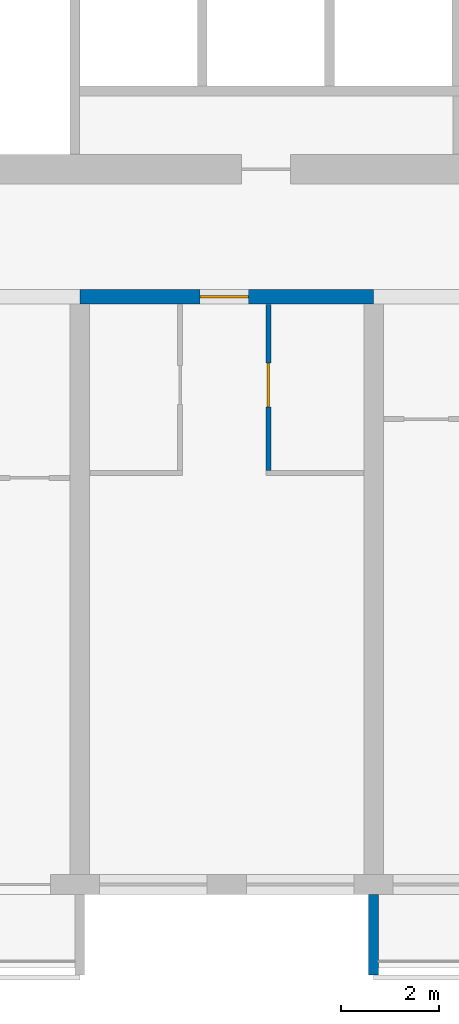
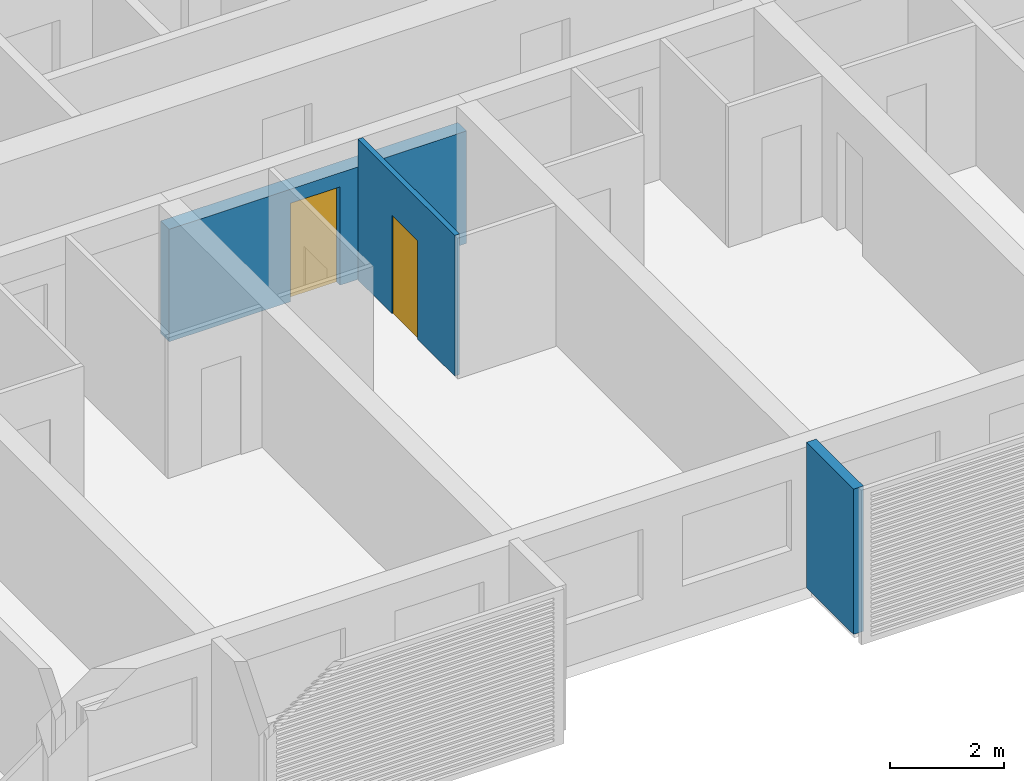
# One storey, part 4 of 38: 3 walls, 2 doors, 2 openings.
"""IFC4 building model written with IfcOpenShell, lengths in metres."""

from ifc_helpers import new_model, si_unit, direction, frame, frame_2d, origin, place, context, subcontext, project, spatial, polyline, rectangle, outline, extrude, source, transform, mapped, material, layer, layer_set, type_object, element, fill, save


model = new_model("IFC4")

# Units and contexts
model_context = context("Model", 3, precision=1e-05, world=origin(), true_north=direction((0.0, 1.0)))
body_context = subcontext(model_context, "Body", "Model", "MODEL_VIEW")
ifc_project = project(units=[si_unit("LENGTHUNIT", "METRE"), si_unit("AREAUNIT", "SQUARE_METRE"), si_unit("VOLUMEUNIT", "CUBIC_METRE"), si_unit("PLANEANGLEUNIT", "RADIAN"), si_unit("MASSUNIT", "GRAM", prefix="KILO")], contexts=[model_context])

# Site, building, storey
site_placement = place(None, origin())
site = spatial("IfcSite", under=ifc_project, at=site_placement, CompositionType="ELEMENT")
building_placement = place(site_placement, origin())
building = spatial("IfcBuilding", under=site, at=building_placement, Name="Poui Terraces", CompositionType="ELEMENT")
storey_placement = place(building_placement, frame((0.0, 0.0, 49.800048828125)))
storey = spatial("IfcBuildingStorey", under=building, at=storey_placement, Name="L13", CompositionType="ELEMENT", Elevation=49.800048828125)

# Wall, opening, door
ifc_material_1 = material(Name="Concrete 80 MPa", Category="concrete")
ifc_layer_1 = layer(ifc_material_1, 0.300048828125)
ifc_layer_set_1 = layer_set([ifc_layer_1], Name="Concrete 80 MPa")
wall_type_1 = type_object("IfcWallType", Name="CORRIDOR WALL 300 80MPa", PredefinedType="SHEAR", material=ifc_layer_set_1)
wall_1_placement = place(storey_placement, frame((42.0, 12.0, 0.0), z_axis=(0.0, 0.0, 1.0), x_axis=(1.0, 0.0, 0.0)))
wall_1 = element("IfcWall", 1, at=wall_1_placement, inside=storey, type_object=wall_type_1, Name="CORRIDOR WALL LINE B BAY 8", PredefinedType="SHEAR", context=body_context, shape_type="SweptSolid", body=[
    extrude(rectangle(XDim=6.0, YDim=0.300048828125, at=frame_2d((3.0, 0.0))), origin(), (0.0, 0.0, 1.0), 2.39990234375),
])
opening_1_placement = place(wall_1_placement, frame((2.449951171875, 0.0, 0.0)))
opening_1 = element("IfcOpeningElement", 2, at=opening_1_placement, cuts=wall_1, Name="Opening FD30S", PredefinedType="OPENING", context=body_context, shape_type="SweptSolid", body=[
    extrude(rectangle(XDim=1.0, YDim=2.10009765625, at=frame_2d((0.5, 1.050048828125))), frame((0.0, 0.16015625, 0.0), z_axis=(0.0, -1.0, 0.0), x_axis=(1.0, 0.0, 0.0)), (0.0, 0.0, 1.0), 0.320068359375),
])
ifc_material_2 = material(Name="Steel fire door", Category="steel")
door_type_1 = type_object("IfcDoorType", Name="FLAT ENTRANCE DOOR 1000 X 2100", OperationType="NOTDEFINED", PredefinedType="DOOR", material=ifc_material_2)
door_1_placement = place(opening_1_placement, frame((1.0, 0.0, 0.0), z_axis=(0.0, 0.0, 1.0), x_axis=(-1.0, 0.0, 0.0)))
door_1 = element("IfcDoor", 3, at=door_1_placement, inside=storey, type_object=door_type_1, Name="FLAT ENTRANCE DOOR 115", OperationType="SINGLE_SWING_RIGHT", OverallHeight=2.10009765625, OverallWidth=1.0, PredefinedType="DOOR", context=body_context, shape_type="SweptSolid", body=[
    extrude(rectangle(XDim=1.0, YDim=2.10009765625, at=frame_2d((0.5, 1.050048828125))), frame((0.0, 0.02490234375, 0.0), z_axis=(0.0, -1.0, 0.0), x_axis=(1.0, 0.0, 0.0)), (0.0, 0.0, 1.0), 0.050048828125),
])
fill(opening_1, door_1)

ifc_material_3 = material(Name="Plasterboard partition")
ifc_layer_2 = layer(ifc_material_3, 0.10009765625)
ifc_layer_set_2 = layer_set([ifc_layer_2], Name="Plasterboard partition")
wall_type_2 = type_object("IfcWallType", Name="FLAT PARTITION 100", PredefinedType="PARTITIONING", material=ifc_layer_set_2)
wall_2_placement = place(storey_placement, frame((45.85009765625, 8.449951171875, 0.0), z_axis=(0.0, 0.0, 1.0), x_axis=(0.0, 1.0, 0.0)))
wall_2 = element("IfcWall", 4, at=wall_2_placement, inside=storey, type_object=wall_type_2, Name="FLAT PARTITION 100", PredefinedType="PARTITIONING", context=body_context, shape_type="SweptSolid", body=[
    extrude(rectangle(XDim=3.39013671875, YDim=0.10009765625, at=frame_2d((1.695068359375, 0.0))), origin(), (0.0, 0.0, 1.0), 3.0),
])
opening_2_placement = place(wall_2_placement, frame((1.300048828125, 0.0, 0.0)))
opening_2 = element("IfcOpeningElement", 5, at=opening_2_placement, cuts=wall_2, Name="Opening D90", PredefinedType="OPENING", context=body_context, shape_type="SweptSolid", body=[
    extrude(rectangle(XDim=0.89990234375, YDim=2.10009765625, at=frame_2d((0.449951171875, 1.050048828125))), frame((0.0, 0.06005859375, 0.0), z_axis=(0.0, -1.0, 0.0), x_axis=(1.0, 0.0, 0.0)), (0.0, 0.0, 1.0), 0.1201171875),
])
ifc_material_4 = material(Name="Solid core timber door", Category="wood")
door_type_2 = type_object("IfcDoorType", Name="INTERNAL DOOR 900 X 2100", OperationType="NOTDEFINED", PredefinedType="DOOR", material=ifc_material_4)
door_2_placement = place(opening_2_placement, frame((0.89990234375, 0.0, 0.0), z_axis=(0.0, 0.0, 1.0), x_axis=(-1.0, 0.0, 0.0)))
door_2 = element("IfcDoor", 6, at=door_2_placement, inside=storey, type_object=door_type_2, Name="INTERNAL DOOR 116", OperationType="SINGLE_SWING_LEFT", OverallHeight=2.10009765625, OverallWidth=0.89990234375, PredefinedType="DOOR", context=body_context, shape_type="SweptSolid", body=[
    extrude(rectangle(XDim=0.89990234375, YDim=2.10009765625, at=frame_2d((0.449951171875, 1.050048828125))), frame((0.0, 0.02490234375, 0.0), z_axis=(0.0, -1.0, 0.0), x_axis=(1.0, 0.0, 0.0)), (0.0, 0.0, 1.0), 0.050048828125),
])
fill(opening_2, door_2)

# Wall
ifc_material_5 = material(Name="Precast concrete 40 MPa", Category="concrete")
ifc_layer_3 = layer(ifc_material_5, 0.199951171875)
ifc_layer_set_3 = layer_set([ifc_layer_3], Name="Precast concrete 40 MPa")
wall_type_3 = type_object("IfcWallType", Name="REAR FIN 200", PredefinedType="STANDARD", material=ifc_layer_set_3)
shared_shape = source(origin(), body_context, "Body", "SweptSolid", [
    extrude(outline(polyline([(0.0, 0.0), (0.2001953125, 0.0), (0.2001953125, 1.650146484375), (0.0, 1.650146484375), (0.0, 0.0)])), origin(), (0.0, 0.0, 1.0), 3.099853515625),
])
wall_3_placement = place(storey_placement, frame((47.89990234375, -1.85009765625, 0.0)))
element("IfcWall", 7, at=wall_3_placement, inside=storey, type_object=wall_type_3, Name="REAR FIN", PredefinedType="STANDARD", context=body_context, shape_type="MappedRepresentation", body=[
    mapped(shared_shape, transform((0.0, 0.0, 0.0))),
])

save(model, "model.ifc")
